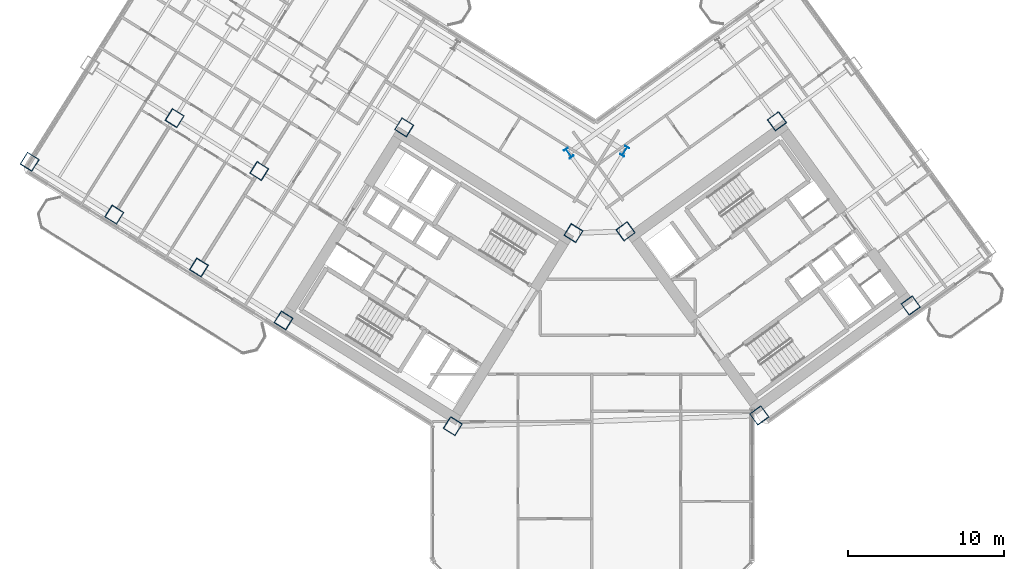
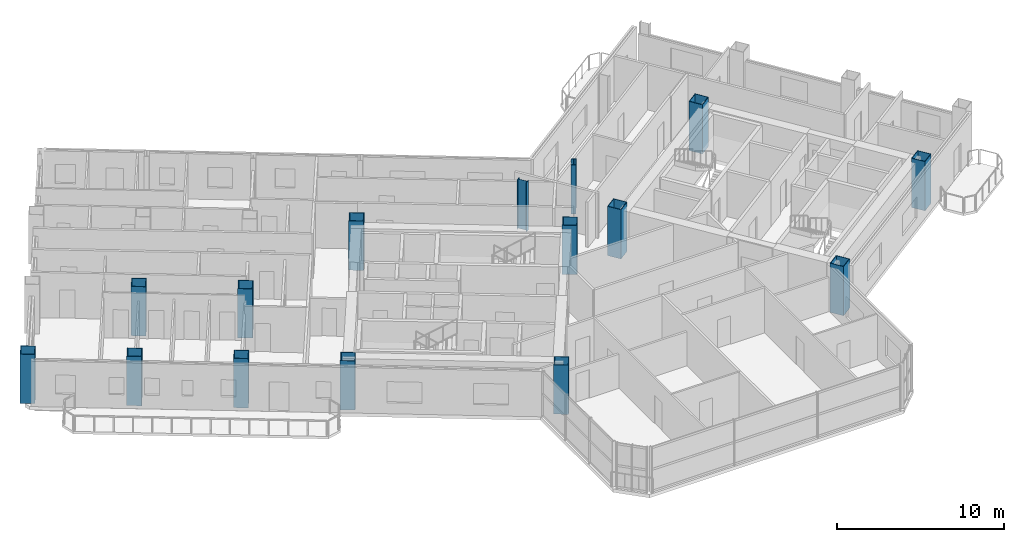
# One storey, part 1 of 22: 15 columns.
"""IFC4 building model written with IfcOpenShell, lengths in metres."""

from ifc_helpers import new_model, si_unit, direction, frame, origin, origin_2d, place, context, subcontext, project, spatial, hollow_rectangle, i_section, extrude, source, transform, mapped, material, material_profile, profile_set, type_object, element, save


model = new_model("IFC4")

# Units and contexts
model_context = context("Model", 3, precision=1e-05, world=origin(), true_north=direction((0.0, 1.0)))
body_context = subcontext(model_context, "Body", "Model", "MODEL_VIEW")
ifc_project = project(units=[si_unit("LENGTHUNIT", "METRE"), si_unit("AREAUNIT", "SQUARE_METRE"), si_unit("VOLUMEUNIT", "CUBIC_METRE"), si_unit("PLANEANGLEUNIT", "RADIAN"), si_unit("MASSUNIT", "GRAM", prefix="KILO")], contexts=[model_context])

# Site, building, storey
site_placement = place(None, origin())
site = spatial("IfcSite", under=ifc_project, at=site_placement, CompositionType="ELEMENT")
building_placement = place(site_placement, origin())
building = spatial("IfcBuilding", under=site, at=building_placement, Name="Tlacorven Tower", CompositionType="ELEMENT")
storey_placement = place(building_placement, frame((0.0, 0.0, 97.199951171875)))
storey = spatial("IfcBuildingStorey", under=building, at=storey_placement, Name="L24", CompositionType="ELEMENT", Elevation=97.199951171875)

# Columns
ifc_material = material(Name="Steel S460M", Category="steel")
ifc_material_profile_1 = material_profile(ifc_material, i_section(OverallWidth=0.300048828125, OverallDepth=0.64990234375, WebThickness=0.01611328125, FlangeThickness=0.031005859375, at=origin_2d()), Name="HEB 650")
ifc_profile_set_1 = profile_set([ifc_material_profile_1], Name="Steel S460M")
column_type_1 = type_object("IfcColumnType", Name="COL-TWR-P1", PredefinedType="COLUMN", material=ifc_profile_set_1)
shared_shape_1 = source(origin(), body_context, "Body", "SweptSolid", [
    extrude(i_section(OverallWidth=0.300048828125, OverallDepth=0.64990234375, WebThickness=0.01611328125, FlangeThickness=0.031005859375, at=origin_2d()), origin(), (0.0, 0.0, 1.0), 3.60009765625),
])
for number, where, z_axis, x_axis, name in (
    (1, (44.068359375, 29.726318359375, 0.0), (0.0, 0.0, 1.0), (-0.848048096156, 0.529919264233, 0.0), "L24 column COL-L24-W1-1"),
    (2, (40.4794921875, 29.60107421875, 0.0), (0.0, 0.0, 1.0), (0.809016994375, 0.587785252292, 0.0), "L24 column COL-L24-E1-4"),
):
    element("IfcColumn", number, at=place(storey_placement, frame(where, z_axis=z_axis, x_axis=x_axis)), inside=storey, type_object=column_type_1, Name=name, PredefinedType="COLUMN", context=body_context, shape_type="MappedRepresentation", body=[
        mapped(shared_shape_1, transform((0.0, 0.0, 0.0), scale=1.0)),
    ])
ifc_material_profile_2 = material_profile(ifc_material, hollow_rectangle(XDim=0.89990234375, YDim=0.89990234375, WallThickness=0.035888671875, at=origin_2d()), Name="BOX 900X900X36")
ifc_profile_set_2 = profile_set([ifc_material_profile_2], Name="Steel S460M")
column_type_2 = type_object("IfcColumnType", Name="COL-TWR-S2", PredefinedType="COLUMN", material=ifc_profile_set_2)
shared_shape_2 = source(origin(), body_context, "Body", "SweptSolid", [
    extrude(hollow_rectangle(XDim=0.89990234375, YDim=0.89990234375, WallThickness=0.035888671875, at=origin_2d()), origin(), (0.0, 0.0, 1.0), 3.60009765625),
])
for number, where, z_axis, x_axis, name in (
    (3, (40.782958984375, 24.468505859375, 0.0), (0.0, 0.0, 1.0), (-0.848048096156, 0.529919264233, 0.0), "L24 column COL-L24-W1-2"),
    (4, (33.046142578125, 12.0869140625, 0.0), (0.0, 0.0, 1.0), (-0.848048096156, 0.529919264233, 0.0), "L24 column COL-L24-W1-4"),
    (5, (29.927978515625, 31.25146484375, 0.0), (0.0, 0.0, 1.0), (-0.848048096156, 0.529919264233, 0.0), "L24 column COL-L24-W3-2"),
    (6, (22.191162109375, 18.869873046875, 0.0), (0.0, 0.0, 1.0), (-0.848048096156, 0.529919264233, 0.0), "L24 column COL-L24-W3-4"),
    (7, (20.632080078125, 28.4521484375, 0.0), (0.0, 0.0, 1.0), (-0.848048096156, 0.529919264233, 0.0), "L24 column COL-L24-W4-3"),
    (8, (16.763671875, 22.26123046875, 0.0), (0.0, 0.0, 1.0), (-0.848048096156, 0.529919264233, 0.0), "L24 column COL-L24-W4-4"),
    (9, (15.20458984375, 31.843505859375, 0.0), (0.0, 0.0, 1.0), (-0.848048096156, 0.529919264233, 0.0), "L24 column COL-L24-W5-3"),
    (10, (11.336181640625, 25.65283203125, 0.0), (0.0, 0.0, 1.0), (-0.848048096156, 0.529919264233, 0.0), "L24 column COL-L24-W5-4"),
    (11, (5.90869140625, 29.044189453125, 0.0), (0.0, 0.0, 1.0), (-0.848048096156, 0.529919264233, 0.0), "L24 column COL-L24-W6-4"),
    (12, (52.705322265625, 12.7734375, 0.0), (0.0, 0.0, 1.0), (0.809016994375, 0.587785252292, 0.0), "L24 column COL-L24-E1-1"),
    (13, (44.123779296875, 24.5849609375, 0.0), (0.0, 0.0, 1.0), (0.809016994375, 0.587785252292, 0.0), "L24 column COL-L24-E1-3"),
    (14, (62.41357421875, 19.826904296875, 0.0), (0.0, 0.0, 1.0), (0.809016994375, 0.587785252292, 0.0), "L24 column COL-L24-E3-1"),
    (15, (53.83203125, 31.638427734375, 0.0), (0.0, 0.0, 1.0), (0.809016994375, 0.587785252292, 0.0), "L24 column COL-L24-E3-3"),
):
    element("IfcColumn", number, at=place(storey_placement, frame(where, z_axis=z_axis, x_axis=x_axis)), inside=storey, type_object=column_type_2, Name=name, PredefinedType="COLUMN", context=body_context, shape_type="MappedRepresentation", body=[
        mapped(shared_shape_2, transform((0.0, 0.0, 0.0), scale=1.0)),
    ])

save(model, "model.ifc")
